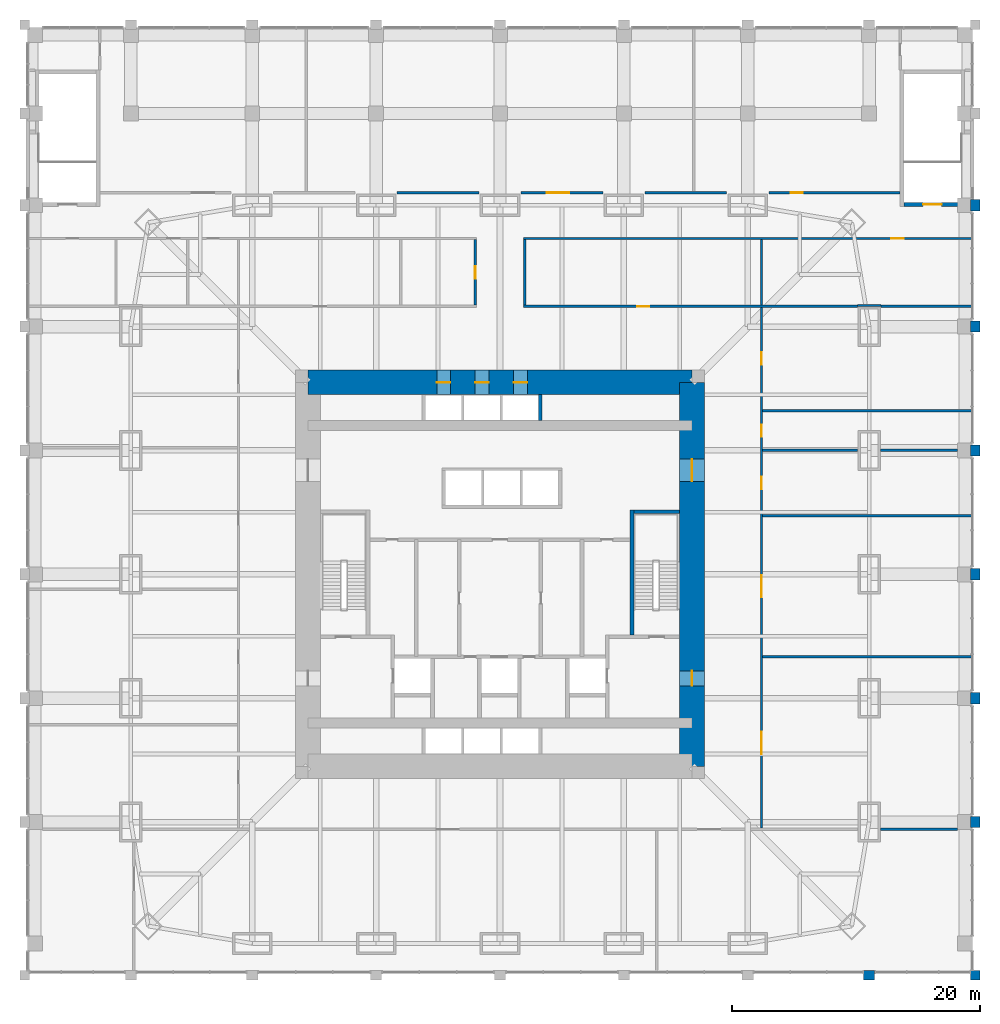
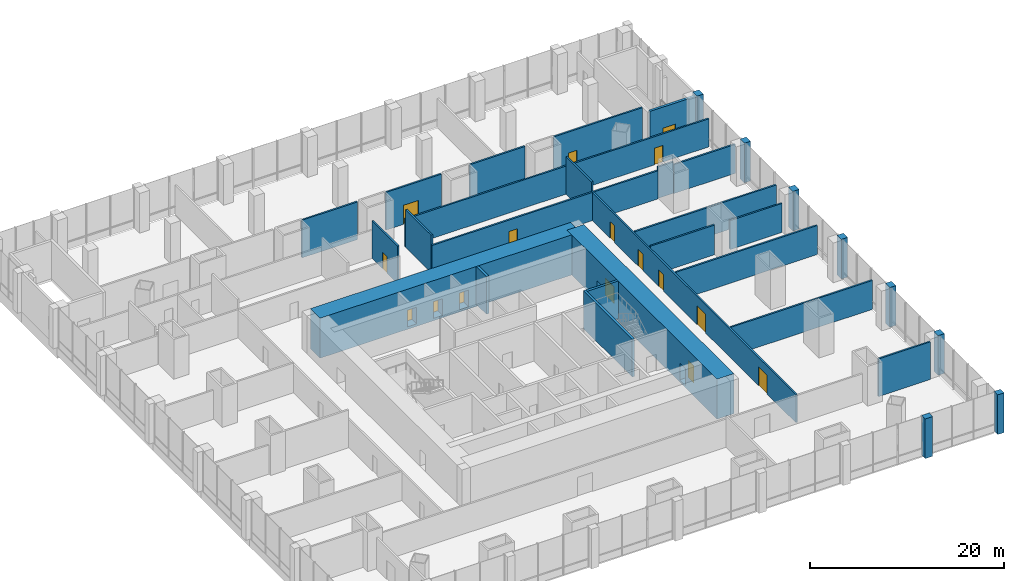
# One storey, part 19 of 22: 32 walls, 16 doors, 16 openings.
"""IFC4 building model written with IfcOpenShell, lengths in metres."""

from ifc_helpers import new_model, si_unit, direction, frame, frame_2d, origin, place, context, subcontext, project, spatial, rectangle, extrude, material, layer, layer_set, type_object, element, fill, save


model = new_model("IFC4")

# Units and contexts
model_context = context("Model", 3, precision=1e-05, world=origin(), true_north=direction((0.0, 1.0)))
body_context = subcontext(model_context, "Body", "Model", "MODEL_VIEW")
ifc_project = project(units=[si_unit("LENGTHUNIT", "METRE"), si_unit("AREAUNIT", "SQUARE_METRE"), si_unit("VOLUMEUNIT", "CUBIC_METRE"), si_unit("PLANEANGLEUNIT", "RADIAN"), si_unit("MASSUNIT", "GRAM", prefix="KILO")], contexts=[model_context])

# Site, building, storey
site_placement = place(None, origin())
site = spatial("IfcSite", under=ifc_project, at=site_placement, CompositionType="ELEMENT")
building_placement = place(site_placement, origin())
building = spatial("IfcBuilding", under=site, at=building_placement, Name="Khuree Lantern Residences", CompositionType="ELEMENT")
storey_placement = place(building_placement, frame((0.0, 0.0, 16.0)))
storey = spatial("IfcBuildingStorey", under=building, at=storey_placement, Name="L03", CompositionType="ELEMENT", Elevation=16.0)

# Wall
ifc_material_1 = material(Name="Dense concrete blockwork", Category="masonry")
ifc_layer_1 = layer(ifc_material_1, 0.300048828125)
ifc_layer_set_1 = layer_set([ifc_layer_1], Name="CORE PARTITION WALL CPW300 EI 120")
wall_type_1 = type_object("IfcWallType", Name="CORE PARTITION WALL CPW300 EI 120", PredefinedType="PARTITIONING", material=ifc_layer_set_1)
wall_1_placement = place(storey_placement, frame((3.25, 12.39990234375, 0.0), z_axis=(0.0, 0.0, 1.0), x_axis=(0.0, 1.0, 0.0)))
element("IfcWall", 1, at=wall_1_placement, inside=storey, type_object=wall_type_1, Name="L03 CORE WALL PLE", PredefinedType="PARTITIONING", context=body_context, shape_type="SweptSolid", body=[
    extrude(rectangle(XDim=2.10009765625, YDim=0.300048828125, at=frame_2d((1.050048828125, 0.0))), origin(), (0.0, 0.0, 1.0), 4.75),
])

# Wall, openings, doors
ifc_material_2 = material(Name="Concrete C70/85", Category="concrete")
ifc_layer_2 = layer(ifc_material_2, 2.0)
ifc_layer_set_2 = layer_set([ifc_layer_2], Name="CW2000-C70 CORE WALL C70 2000")
wall_type_2 = type_object("IfcWallType", Name="CW2000-C70 CORE WALL C70 2000", PredefinedType="SHEAR", material=ifc_layer_set_2)
wall_2_placement = place(storey_placement, frame((15.5, -15.5, -0.300048828125), z_axis=(0.0, 0.0, 1.0), x_axis=(0.0, 1.0, 0.0)))
wall_2 = element("IfcWall", 2, at=wall_2_placement, inside=storey, type_object=wall_type_2, Name="Core wall E", PredefinedType="SHEAR", context=body_context, shape_type="SweptSolid", body=[
    extrude(rectangle(XDim=31.0, YDim=2.0, at=frame_2d((15.5, 0.0))), origin(), (0.0, 0.0, 1.0), 5.050048828125),
])
opening_1_placement = place(wall_2_placement, frame((6.5, 0.0, 0.300048828125)))
opening_1 = element("IfcOpeningElement", 3, at=opening_1_placement, cuts=wall_2, Name="Opening 03-005", PredefinedType="OPENING", context=body_context, shape_type="SweptSolid", body=[
    extrude(rectangle(XDim=1.199951171875, YDim=2.10009765625, at=frame_2d((0.60009765625, 1.050048828125))), frame((0.0, 1.010009765625, 0.0), z_axis=(0.0, -1.0, 0.0), x_axis=(1.0, 0.0, 0.0)), (0.0, 0.0, 1.0), 2.02001953125),
])
opening_2_placement = place(wall_2_placement, frame((23.0, 0.0, 0.300048828125)))
opening_2 = element("IfcOpeningElement", 4, at=opening_2_placement, cuts=wall_2, Name="Opening 03-006", PredefinedType="OPENING", context=body_context, shape_type="SweptSolid", body=[
    extrude(rectangle(XDim=1.800048828125, YDim=2.10009765625, at=frame_2d((0.89990234375, 1.050048828125))), frame((0.0, 1.010009765625, 0.0), z_axis=(0.0, -1.0, 0.0), x_axis=(1.0, 0.0, 0.0)), (0.0, 0.0, 1.0), 2.02001953125),
])
ifc_material_3 = material(Name="Steel door leaf in steel frame", Category="steel")
door_type_1 = type_object("IfcDoorType", Name="LOBBY DOOR 1200X2100 EI 120", OperationType="SINGLE_SWING_LEFT", PredefinedType="DOOR", material=ifc_material_3)
door_1_placement = place(opening_1_placement, origin())
door_1 = element("IfcDoor", 5, at=door_1_placement, inside=storey, type_object=door_type_1, Name="Firefighting lobby door 03-005", OperationType="SINGLE_SWING_LEFT", OverallHeight=2.10009765625, OverallWidth=1.199951171875, PredefinedType="DOOR", context=body_context, shape_type="SweptSolid", body=[
    extrude(rectangle(XDim=1.199951171875, YDim=2.10009765625, at=frame_2d((0.60009765625, 1.050048828125))), frame((0.0, 0.02490234375, 0.0), z_axis=(0.0, -1.0, 0.0), x_axis=(1.0, 0.0, 0.0)), (0.0, 0.0, 1.0), 0.050048828125),
])
fill(opening_1, door_1)
door_type_2 = type_object("IfcDoorType", Name="LOBBY DOUBLE DOOR 1800X2100 EI 60", OperationType="DOUBLE_DOOR_SINGLE_SWING", PredefinedType="DOOR", material=ifc_material_3)
door_2_placement = place(opening_2_placement, origin())
door_2 = element("IfcDoor", 6, at=door_2_placement, inside=storey, type_object=door_type_2, Name="Lift lobby door 03-006", OperationType="DOUBLE_DOOR_SINGLE_SWING", OverallHeight=2.10009765625, OverallWidth=1.800048828125, PredefinedType="DOOR", context=body_context, shape_type="SweptSolid", body=[
    extrude(rectangle(XDim=1.800048828125, YDim=2.10009765625, at=frame_2d((0.89990234375, 1.050048828125))), frame((0.0, 0.02490234375, 0.0), z_axis=(0.0, -1.0, 0.0), x_axis=(1.0, 0.0, 0.0)), (0.0, 0.0, 1.0), 0.050048828125),
])
fill(opening_2, door_2)

wall_3_placement = place(storey_placement, frame((-15.5, 15.5, -0.300048828125), z_axis=(0.0, 0.0, 1.0), x_axis=(1.0, 0.0, 0.0)))
wall_3 = element("IfcWall", 7, at=wall_3_placement, inside=storey, type_object=wall_type_2, Name="Core wall N", PredefinedType="SHEAR", context=body_context, shape_type="SweptSolid", body=[
    extrude(rectangle(XDim=31.0, YDim=2.0, at=frame_2d((15.5, 0.0))), origin(), (0.0, 0.0, 1.0), 5.050048828125),
])
opening_3_placement = place(wall_3_placement, frame((10.39990234375, 0.0, 0.300048828125)))
opening_3 = element("IfcOpeningElement", 8, at=opening_3_placement, cuts=wall_3, Name="Opening 03-009", PredefinedType="OPENING", context=body_context, shape_type="SweptSolid", body=[
    extrude(rectangle(XDim=1.10009765625, YDim=2.10009765625, at=frame_2d((0.550048828125, 1.050048828125))), frame((0.0, 1.010009765625, 0.0), z_axis=(0.0, -1.0, 0.0), x_axis=(1.0, 0.0, 0.0)), (0.0, 0.0, 1.0), 2.02001953125),
])
opening_4_placement = place(wall_3_placement, frame((13.5, 0.0, 0.300048828125)))
opening_4 = element("IfcOpeningElement", 9, at=opening_4_placement, cuts=wall_3, Name="Opening 03-010", PredefinedType="OPENING", context=body_context, shape_type="SweptSolid", body=[
    extrude(rectangle(XDim=1.10009765625, YDim=2.10009765625, at=frame_2d((0.550048828125, 1.050048828125))), frame((0.0, 1.010009765625, 0.0), z_axis=(0.0, -1.0, 0.0), x_axis=(1.0, 0.0, 0.0)), (0.0, 0.0, 1.0), 2.02001953125),
])
opening_5_placement = place(wall_3_placement, frame((16.60009765625, 0.0, 0.300048828125)))
opening_5 = element("IfcOpeningElement", 10, at=opening_5_placement, cuts=wall_3, Name="Opening 03-011", PredefinedType="OPENING", context=body_context, shape_type="SweptSolid", body=[
    extrude(rectangle(XDim=1.10009765625, YDim=2.10009765625, at=frame_2d((0.550048828125, 1.050048828125))), frame((0.0, 1.010009765625, 0.0), z_axis=(0.0, -1.0, 0.0), x_axis=(1.0, 0.0, 0.0)), (0.0, 0.0, 1.0), 2.02001953125),
])
ifc_material_4 = material(Name="Stainless steel lift landing door", Category="steel")
door_type_3 = type_object("IfcDoorType", Name="LIFT LANDING DOOR 1100X2100 E 60", OperationType="DOUBLE_DOOR_SLIDING", PredefinedType="DOOR", material=ifc_material_4)
door_3_placement = place(opening_3_placement, origin())
door_3 = element("IfcDoor", 11, at=door_3_placement, inside=storey, type_object=door_type_3, Name="Landing door PL1 03-009", OperationType="DOUBLE_DOOR_SLIDING", OverallHeight=2.10009765625, OverallWidth=1.10009765625, PredefinedType="DOOR", context=body_context, shape_type="SweptSolid", body=[
    extrude(rectangle(XDim=1.10009765625, YDim=2.10009765625, at=frame_2d((0.550048828125, 1.050048828125))), frame((0.0, 0.02490234375, 0.0), z_axis=(0.0, -1.0, 0.0), x_axis=(1.0, 0.0, 0.0)), (0.0, 0.0, 1.0), 0.050048828125),
])
fill(opening_3, door_3)
door_4_placement = place(opening_4_placement, origin())
door_4 = element("IfcDoor", 12, at=door_4_placement, inside=storey, type_object=door_type_3, Name="Landing door PL2 03-010", OperationType="DOUBLE_DOOR_SLIDING", OverallHeight=2.10009765625, OverallWidth=1.10009765625, PredefinedType="DOOR", context=body_context, shape_type="SweptSolid", body=[
    extrude(rectangle(XDim=1.10009765625, YDim=2.10009765625, at=frame_2d((0.550048828125, 1.050048828125))), frame((0.0, 0.02490234375, 0.0), z_axis=(0.0, -1.0, 0.0), x_axis=(1.0, 0.0, 0.0)), (0.0, 0.0, 1.0), 0.050048828125),
])
fill(opening_4, door_4)
door_5_placement = place(opening_5_placement, origin())
door_5 = element("IfcDoor", 13, at=door_5_placement, inside=storey, type_object=door_type_3, Name="Landing door PL3 03-011", OperationType="DOUBLE_DOOR_SLIDING", OverallHeight=2.10009765625, OverallWidth=1.10009765625, PredefinedType="DOOR", context=body_context, shape_type="SweptSolid", body=[
    extrude(rectangle(XDim=1.10009765625, YDim=2.10009765625, at=frame_2d((0.550048828125, 1.050048828125))), frame((0.0, 0.02490234375, 0.0), z_axis=(0.0, -1.0, 0.0), x_axis=(1.0, 0.0, 0.0)), (0.0, 0.0, 1.0), 0.050048828125),
])
fill(opening_5, door_5)

# Wall
ifc_layer_3 = layer(ifc_material_1, 0.199951171875)
ifc_layer_set_3 = layer_set([ifc_layer_3], Name="FIRE-RATED ROOM WALL FRW200 EI 120")
wall_type_3 = type_object("IfcWallType", Name="FIRE-RATED ROOM WALL FRW200 EI 120", PredefinedType="SOLIDWALL", material=ifc_layer_set_3)
wall_4_placement = place(storey_placement, frame((30.72998046875, -20.591064453125, 0.0), z_axis=(0.0, 0.0, 1.0), x_axis=(1.0, 0.0, 0.0)))
element("IfcWall", 14, at=wall_4_placement, inside=storey, type_object=wall_type_3, Name="L03 ROOM WALL 6", PredefinedType="SOLIDWALL", context=body_context, shape_type="SweptSolid", body=[
    extrude(rectangle(XDim=6.18994140625, YDim=0.199951171875, at=frame_2d((3.094970703125, 0.0))), origin(), (0.0, 0.0, 1.0), 4.75),
])

# Wall, openings, doors
wall_5_placement = place(storey_placement, frame((21.111083984375, -20.490966796875, 0.0), z_axis=(0.0, 0.0, 1.0), x_axis=(0.0, 1.0, 0.0)))
wall_5 = element("IfcWall", 15, at=wall_5_placement, inside=storey, type_object=wall_type_3, Name="L03 ROOM WALL 8", PredefinedType="SOLIDWALL", context=body_context, shape_type="SweptSolid", body=[
    extrude(rectangle(XDim=42.02197265625, YDim=0.199951171875, at=frame_2d((21.010986328125, 0.0))), origin(), (0.0, 0.0, 1.0), 3.550048828125),
])
opening_6_placement = place(wall_5_placement, frame((5.9619140625, 0.0, 0.0)))
opening_6 = element("IfcOpeningElement", 16, at=opening_6_placement, cuts=wall_5, Name="Opening 03-029", PredefinedType="OPENING", context=body_context, shape_type="SweptSolid", body=[
    extrude(rectangle(XDim=1.800048828125, YDim=2.39990234375, at=frame_2d((0.89990234375, 1.199951171875))), frame((0.0, 0.10986328125, 0.0), z_axis=(0.0, -1.0, 0.0), x_axis=(1.0, 0.0, 0.0)), (0.0, 0.0, 1.0), 0.219970703125),
])
opening_7_placement = place(wall_5_placement, frame((18.62890625, 0.0, 0.0)))
opening_7 = element("IfcOpeningElement", 17, at=opening_7_placement, cuts=wall_5, Name="Opening 03-030", PredefinedType="OPENING", context=body_context, shape_type="SweptSolid", body=[
    extrude(rectangle(XDim=1.800048828125, YDim=2.39990234375, at=frame_2d((0.89990234375, 1.199951171875))), frame((0.0, 0.10986328125, 0.0), z_axis=(0.0, -1.0, 0.0), x_axis=(1.0, 0.0, 0.0)), (0.0, 0.0, 1.0), 0.219970703125),
])
opening_8_placement = place(wall_5_placement, frame((27.362548828125, 0.0, 0.0)))
opening_8 = element("IfcOpeningElement", 18, at=opening_8_placement, cuts=wall_5, Name="Opening 03-031", PredefinedType="OPENING", context=body_context, shape_type="SweptSolid", body=[
    extrude(rectangle(XDim=1.0, YDim=2.10009765625, at=frame_2d((0.5, 1.050048828125))), frame((0.0, 0.10986328125, 0.0), z_axis=(0.0, -1.0, 0.0), x_axis=(1.0, 0.0, 0.0)), (0.0, 0.0, 1.0), 0.219970703125),
])
opening_9_placement = place(wall_5_placement, frame((37.39990234375, 0.0, 0.0)))
opening_9 = element("IfcOpeningElement", 19, at=opening_9_placement, cuts=wall_5, Name="Opening 03-032", PredefinedType="OPENING", context=body_context, shape_type="SweptSolid", body=[
    extrude(rectangle(XDim=1.0, YDim=2.10009765625, at=frame_2d((0.5, 1.050048828125))), frame((0.0, 0.10986328125, 0.0), z_axis=(0.0, -1.0, 0.0), x_axis=(1.0, 0.0, 0.0)), (0.0, 0.0, 1.0), 0.219970703125),
])
opening_10_placement = place(wall_5_placement, frame((31.58447265625, 0.0, 0.0)))
opening_10 = element("IfcOpeningElement", 20, at=opening_10_placement, cuts=wall_5, Name="Opening 03-045", PredefinedType="OPENING", context=body_context, shape_type="SweptSolid", body=[
    extrude(rectangle(XDim=1.0, YDim=2.10009765625, at=frame_2d((0.5, 1.050048828125))), frame((0.0, 0.10986328125, 0.0), z_axis=(0.0, -1.0, 0.0), x_axis=(1.0, 0.0, 0.0)), (0.0, 0.0, 1.0), 0.219970703125),
])
ifc_material_5 = material(Name="Timber door leaf in hardwood frame", Category="wood")
door_type_4 = type_object("IfcDoorType", Name="DOOR 1000X2100", OperationType="SINGLE_SWING_LEFT", PredefinedType="DOOR", material=ifc_material_5)
door_6_placement = place(opening_8_placement, origin())
door_6 = element("IfcDoor", 21, at=door_6_placement, inside=storey, type_object=door_type_4, Name="Physiotherapy room door 03-031", OperationType="SINGLE_SWING_LEFT", OverallHeight=2.10009765625, OverallWidth=1.0, PredefinedType="DOOR", context=body_context, shape_type="SweptSolid", body=[
    extrude(rectangle(XDim=1.0, YDim=2.10009765625, at=frame_2d((0.5, 1.050048828125))), frame((0.0, 0.02490234375, 0.0), z_axis=(0.0, -1.0, 0.0), x_axis=(1.0, 0.0, 0.0)), (0.0, 0.0, 1.0), 0.050048828125),
])
fill(opening_8, door_6)
door_7_placement = place(opening_10_placement, origin())
door_7 = element("IfcDoor", 22, at=door_7_placement, inside=storey, type_object=door_type_4, Name="Physiotherapy treatment room door 03-045", OperationType="SINGLE_SWING_LEFT", OverallHeight=2.10009765625, OverallWidth=1.0, PredefinedType="DOOR", context=body_context, shape_type="SweptSolid", body=[
    extrude(rectangle(XDim=1.0, YDim=2.10009765625, at=frame_2d((0.5, 1.050048828125))), frame((0.0, 0.02490234375, 0.0), z_axis=(0.0, -1.0, 0.0), x_axis=(1.0, 0.0, 0.0)), (0.0, 0.0, 1.0), 0.050048828125),
])
fill(opening_10, door_7)
door_type_5 = type_object("IfcDoorType", Name="DOOR 1000X2100 RIGHT HAND", OperationType="SINGLE_SWING_RIGHT", PredefinedType="DOOR", material=ifc_material_5)
door_8_placement = place(opening_9_placement, origin())
door_8 = element("IfcDoor", 23, at=door_8_placement, inside=storey, type_object=door_type_5, Name="Pilates studio door 03-032", OperationType="SINGLE_SWING_RIGHT", OverallHeight=2.10009765625, OverallWidth=1.0, PredefinedType="DOOR", context=body_context, shape_type="SweptSolid", body=[
    extrude(rectangle(XDim=1.0, YDim=2.10009765625, at=frame_2d((0.5, 1.050048828125))), frame((0.0, 0.02490234375, 0.0), z_axis=(0.0, -1.0, 0.0), x_axis=(1.0, 0.0, 0.0)), (0.0, 0.0, 1.0), 0.050048828125),
])
fill(opening_9, door_8)
door_type_6 = type_object("IfcDoorType", Name="DOUBLE DOOR 1800X2400", OperationType="DOUBLE_DOOR_SINGLE_SWING", PredefinedType="DOOR", material=ifc_material_5)
door_9_placement = place(opening_7_placement, origin())
door_9 = element("IfcDoor", 24, at=door_9_placement, inside=storey, type_object=door_type_6, Name="Yoga studio door 03-030", OperationType="DOUBLE_DOOR_SINGLE_SWING", OverallHeight=2.39990234375, OverallWidth=1.800048828125, PredefinedType="DOOR", context=body_context, shape_type="SweptSolid", body=[
    extrude(rectangle(XDim=1.800048828125, YDim=2.39990234375, at=frame_2d((0.89990234375, 1.199951171875))), frame((0.0, 0.02490234375, 0.0), z_axis=(0.0, -1.0, 0.0), x_axis=(1.0, 0.0, 0.0)), (0.0, 0.0, 1.0), 0.050048828125),
])
fill(opening_7, door_9)
door_type_7 = type_object("IfcDoorType", Name="PLANT ROOM DOOR 1800X2400 EI 60", OperationType="DOUBLE_DOOR_SINGLE_SWING", PredefinedType="DOOR", material=ifc_material_3)
door_10_placement = place(opening_6_placement, origin())
door_10 = element("IfcDoor", 25, at=door_10_placement, inside=storey, type_object=door_type_7, Name="Pool plant room door 03-029", OperationType="DOUBLE_DOOR_SINGLE_SWING", OverallHeight=2.39990234375, OverallWidth=1.800048828125, PredefinedType="DOOR", context=body_context, shape_type="SweptSolid", body=[
    extrude(rectangle(XDim=1.800048828125, YDim=2.39990234375, at=frame_2d((0.89990234375, 1.199951171875))), frame((0.0, 0.02490234375, 0.0), z_axis=(0.0, -1.0, 0.0), x_axis=(1.0, 0.0, 0.0)), (0.0, 0.0, 1.0), 0.050048828125),
])
fill(opening_6, door_10)

# Walls
wall_6_placement = place(storey_placement, frame((21.2109375, -6.6669921875, 0.0), z_axis=(0.0, 0.0, 1.0), x_axis=(1.0, 0.0, 0.0)))
element("IfcWall", 26, at=wall_6_placement, inside=storey, type_object=wall_type_3, Name="L03 ROOM WALL 10", PredefinedType="SOLIDWALL", context=body_context, shape_type="SweptSolid", body=[
    extrude(rectangle(XDim=16.864013671875, YDim=0.199951171875, at=frame_2d((8.43212890625, 0.0))), origin(), (0.0, 0.0, 1.0), 3.64990234375),
])
wall_7_placement = place(storey_placement, frame((21.111083984375, 21.73095703125, 0.0), z_axis=(0.0, 0.0, 1.0), x_axis=(0.0, 1.0, 0.0)))
element("IfcWall", 27, at=wall_7_placement, inside=storey, type_object=wall_type_3, Name="L03 ROOM WALL 31", PredefinedType="SOLIDWALL", context=body_context, shape_type="SweptSolid", body=[
    extrude(rectangle(XDim=5.280029296875, YDim=0.199951171875, at=frame_2d((2.64013671875, 0.0))), origin(), (0.0, 0.0, 1.0), 4.75),
])
ifc_material_6 = material(Name="Flamed granite cladding on blockwork", Category="masonry")
ifc_layer_4 = layer(ifc_material_6, 0.75)
ifc_layer_set_4 = layer_set([ifc_layer_4], Name="PODIUM PIER PR1 900X750")
wall_type_4 = type_object("IfcWallType", Name="PODIUM PIER PR1 900X750", PredefinedType="SOLIDWALL", material=ifc_layer_set_4)
wall_8_placement = place(storey_placement, frame((29.35009765625, -32.375, 0.0), z_axis=(0.0, 0.0, 1.0), x_axis=(1.0, 0.0, 0.0)))
element("IfcWall", 28, at=wall_8_placement, inside=storey, type_object=wall_type_4, Name="L03 SOUTH FACE PIER 7", PredefinedType="SOLIDWALL", context=body_context, shape_type="SweptSolid", body=[
    extrude(rectangle(XDim=0.89990234375, YDim=0.75, at=frame_2d((0.449951171875, 0.0))), origin(), (0.0, 0.0, 1.0), 5.0),
])
wall_9_placement = place(storey_placement, frame((38.0, -32.375, 0.0), z_axis=(0.0, 0.0, 1.0), x_axis=(1.0, 0.0, 0.0)))
element("IfcWall", 29, at=wall_9_placement, inside=storey, type_object=wall_type_4, Name="L03 SOUTH FACE PIER 8", PredefinedType="SOLIDWALL", context=body_context, shape_type="SweptSolid", body=[
    extrude(rectangle(XDim=0.75, YDim=0.75, at=frame_2d((0.375, 0.0))), origin(), (0.0, 0.0, 1.0), 5.0),
])
for number, where, z_axis, x_axis, name in (
    (30, (38.375, -20.449951171875, 0.0), (0.0, 0.0, 1.0), (0.0, 1.0, 0.0), "L03 EAST FACE PIER 1"),
    (31, (38.375, -10.449951171875, 0.0), (0.0, 0.0, 1.0), (0.0, 1.0, 0.0), "L03 EAST FACE PIER 2"),
    (32, (38.375, -0.449951171875, 0.0), (0.0, 0.0, 1.0), (0.0, 1.0, 0.0), "L03 EAST FACE PIER 3"),
    (33, (38.375, 9.550048828125, 0.0), (0.0, 0.0, 1.0), (0.0, 1.0, 0.0), "L03 EAST FACE PIER 4"),
    (34, (38.375, 19.550048828125, 0.0), (0.0, 0.0, 1.0), (0.0, 1.0, 0.0), "L03 EAST FACE PIER 5"),
    (35, (38.375, 29.35009765625, 0.0), (0.0, 0.0, 1.0), (0.0, 1.0, 0.0), "L03 EAST FACE PIER 6"),
):
    element("IfcWall", number, at=place(storey_placement, frame(where, z_axis=z_axis, x_axis=x_axis)), inside=storey, type_object=wall_type_4, Name=name, PredefinedType="SOLIDWALL", context=body_context, shape_type="SweptSolid", body=[
        extrude(rectangle(XDim=0.89990234375, YDim=0.75, at=frame_2d((0.449951171875, 0.0))), origin(), (0.0, 0.0, 1.0), 5.0),
    ])
ifc_layer_5 = layer(ifc_material_1, 0.199951171875)
ifc_layer_set_5 = layer_set([ifc_layer_5], Name="ROOM WALL RMW200")
wall_type_5 = type_object("IfcWallType", Name="ROOM WALL RMW200", PredefinedType="SOLIDWALL", material=ifc_layer_set_5)
wall_10_placement = place(storey_placement, frame((21.2109375, 4.742919921875, 0.0), z_axis=(0.0, 0.0, 1.0), x_axis=(1.0, 0.0, 0.0)))
element("IfcWall", 36, at=wall_10_placement, inside=storey, type_object=wall_type_5, Name="L03 ROOM WALL 13", PredefinedType="SOLIDWALL", context=body_context, shape_type="SweptSolid", body=[
    extrude(rectangle(XDim=16.864013671875, YDim=0.199951171875, at=frame_2d((8.43212890625, 0.0))), origin(), (0.0, 0.0, 1.0), 3.64990234375),
])
wall_11_placement = place(storey_placement, frame((21.2109375, 10.0, 0.0), z_axis=(0.0, 0.0, 1.0), x_axis=(1.0, 0.0, 0.0)))
element("IfcWall", 37, at=wall_11_placement, inside=storey, type_object=wall_type_5, Name="L03 ROOM WALL 14", PredefinedType="SOLIDWALL", context=body_context, shape_type="SweptSolid", body=[
    extrude(rectangle(XDim=7.658935546875, YDim=0.199951171875, at=frame_2d((3.82958984375, 0.0))), origin(), (0.0, 0.0, 1.0), 3.741943359375),
])
wall_12_placement = place(storey_placement, frame((30.72998046875, 10.0, 0.0), z_axis=(0.0, 0.0, 1.0), x_axis=(1.0, 0.0, 0.0)))
element("IfcWall", 38, at=wall_12_placement, inside=storey, type_object=wall_type_5, Name="L03 ROOM WALL 15", PredefinedType="SOLIDWALL", context=body_context, shape_type="SweptSolid", body=[
    extrude(rectangle(XDim=6.18994140625, YDim=0.199951171875, at=frame_2d((3.094970703125, 0.0))), origin(), (0.0, 0.0, 1.0), 3.64990234375),
])
wall_13_placement = place(storey_placement, frame((21.2109375, 13.18701171875, 0.0), z_axis=(0.0, 0.0, 1.0), x_axis=(1.0, 0.0, 0.0)))
element("IfcWall", 39, at=wall_13_placement, inside=storey, type_object=wall_type_5, Name="L03 ROOM WALL 18", PredefinedType="SOLIDWALL", context=body_context, shape_type="SweptSolid", body=[
    extrude(rectangle(XDim=16.864013671875, YDim=0.199951171875, at=frame_2d((8.43212890625, 0.0))), origin(), (0.0, 0.0, 1.0), 3.64990234375),
])

# Wall, opening, door
wall_14_placement = place(storey_placement, frame((1.89990234375, 21.631103515625, 0.0), z_axis=(0.0, 0.0, 1.0), x_axis=(1.0, 0.0, 0.0)))
wall_14 = element("IfcWall", 40, at=wall_14_placement, inside=storey, type_object=wall_type_5, Name="L03 ROOM WALL 21", PredefinedType="SOLIDWALL", context=body_context, shape_type="SweptSolid", body=[
    extrude(rectangle(XDim=26.9501953125, YDim=0.199951171875, at=frame_2d((13.47509765625, 0.0))), origin(), (0.0, 0.0, 1.0), 3.550048828125),
])
opening_11_placement = place(wall_14_placement, frame((9.16552734375, 0.0, 0.0)))
opening_11 = element("IfcOpeningElement", 41, at=opening_11_placement, cuts=wall_14, Name="Opening 03-039", PredefinedType="OPENING", context=body_context, shape_type="SweptSolid", body=[
    extrude(rectangle(XDim=1.0, YDim=2.10009765625, at=frame_2d((0.5, 1.050048828125))), frame((0.0, 0.10986328125, 0.0), z_axis=(0.0, -1.0, 0.0), x_axis=(1.0, 0.0, 0.0)), (0.0, 0.0, 1.0), 0.219970703125),
])
door_11_placement = place(opening_11_placement, origin())
door_11 = element("IfcDoor", 42, at=door_11_placement, inside=storey, type_object=door_type_4, Name="Towel and linen room door 03-039", OperationType="SINGLE_SWING_LEFT", OverallHeight=2.10009765625, OverallWidth=1.0, PredefinedType="DOOR", context=body_context, shape_type="SweptSolid", body=[
    extrude(rectangle(XDim=1.0, YDim=2.10009765625, at=frame_2d((0.5, 1.050048828125))), frame((0.0, 0.02490234375, 0.0), z_axis=(0.0, -1.0, 0.0), x_axis=(1.0, 0.0, 0.0)), (0.0, 0.0, 1.0), 0.050048828125),
])
fill(opening_11, door_11)

# Walls
wall_15_placement = place(storey_placement, frame((30.75, 21.631103515625, 0.0), z_axis=(0.0, 0.0, 1.0), x_axis=(1.0, 0.0, 0.0)))
element("IfcWall", 43, at=wall_15_placement, inside=storey, type_object=wall_type_5, Name="L03 ROOM WALL 22", PredefinedType="SOLIDWALL", context=body_context, shape_type="SweptSolid", body=[
    extrude(rectangle(XDim=7.324951171875, YDim=0.199951171875, at=frame_2d((3.66259765625, 0.0))), origin(), (0.0, 0.0, 1.0), 3.64990234375),
])
wall_16_placement = place(storey_placement, frame((28.85009765625, 21.701904296875, 0.0), z_axis=(0.0, 0.0, 1.0), x_axis=(1.0, 0.0, 0.0)))
element("IfcWall", 44, at=wall_16_placement, inside=storey, type_object=wall_type_5, Name="L03 ROOM WALL 24", PredefinedType="SOLIDWALL", context=body_context, shape_type="SweptSolid", body=[
    extrude(rectangle(XDim=1.89990234375, YDim=0.199951171875, at=frame_2d((0.949951171875, 0.0))), origin(), (0.0, 0.0, 1.0), 3.9599609375),
])

# Wall, opening, door
wall_17_placement = place(storey_placement, frame((-2.0, 21.73095703125, 0.0), z_axis=(0.0, 0.0, 1.0), x_axis=(0.0, 1.0, 0.0)))
wall_17 = element("IfcWall", 45, at=wall_17_placement, inside=storey, type_object=wall_type_5, Name="L03 ROOM WALL 29", PredefinedType="SOLIDWALL", context=body_context, shape_type="SweptSolid", body=[
    extrude(rectangle(XDim=5.280029296875, YDim=0.199951171875, at=frame_2d((2.64013671875, 0.0))), origin(), (0.0, 0.0, 1.0), 4.75),
])
opening_12_placement = place(wall_17_placement, frame((2.14990234375, 0.0, 0.0)))
opening_12 = element("IfcOpeningElement", 46, at=opening_12_placement, cuts=wall_17, Name="Opening 03-038", PredefinedType="OPENING", context=body_context, shape_type="SweptSolid", body=[
    extrude(rectangle(XDim=1.0, YDim=2.10009765625, at=frame_2d((0.5, 1.050048828125))), frame((0.0, 0.10986328125, 0.0), z_axis=(0.0, -1.0, 0.0), x_axis=(1.0, 0.0, 0.0)), (0.0, 0.0, 1.0), 0.219970703125),
])
door_12_placement = place(opening_12_placement, origin())
door_12 = element("IfcDoor", 47, at=door_12_placement, inside=storey, type_object=door_type_4, Name="Lifeguard office door 03-038", OperationType="SINGLE_SWING_LEFT", OverallHeight=2.10009765625, OverallWidth=1.0, PredefinedType="DOOR", context=body_context, shape_type="SweptSolid", body=[
    extrude(rectangle(XDim=1.0, YDim=2.10009765625, at=frame_2d((0.5, 1.050048828125))), frame((0.0, 0.02490234375, 0.0), z_axis=(0.0, -1.0, 0.0), x_axis=(1.0, 0.0, 0.0)), (0.0, 0.0, 1.0), 0.050048828125),
])
fill(opening_12, door_12)

# Wall
wall_18_placement = place(storey_placement, frame((2.0, 21.73095703125, 0.0), z_axis=(0.0, 0.0, 1.0), x_axis=(0.0, 1.0, 0.0)))
element("IfcWall", 48, at=wall_18_placement, inside=storey, type_object=wall_type_5, Name="L03 ROOM WALL 30", PredefinedType="SOLIDWALL", context=body_context, shape_type="SweptSolid", body=[
    extrude(rectangle(XDim=5.280029296875, YDim=0.199951171875, at=frame_2d((2.64013671875, 0.0))), origin(), (0.0, 0.0, 1.0), 4.75),
])

# Wall, opening, door
wall_19_placement = place(storey_placement, frame((1.89990234375, 27.111083984375, 0.0), z_axis=(0.0, 0.0, 1.0), x_axis=(1.0, 0.0, 0.0)))
wall_19 = element("IfcWall", 49, at=wall_19_placement, inside=storey, type_object=wall_type_5, Name="L03 ROOM WALL 33", PredefinedType="SOLIDWALL", context=body_context, shape_type="SweptSolid", body=[
    extrude(rectangle(XDim=36.175048828125, YDim=0.199951171875, at=frame_2d((18.08740234375, 0.0))), origin(), (0.0, 0.0, 1.0), 3.550048828125),
])
opening_13_placement = place(wall_19_placement, frame((29.69482421875, 0.0, 0.0)))
opening_13 = element("IfcOpeningElement", 50, at=opening_13_placement, cuts=wall_19, Name="Opening 03-036", PredefinedType="OPENING", context=body_context, shape_type="SweptSolid", body=[
    extrude(rectangle(XDim=1.0, YDim=2.10009765625, at=frame_2d((0.5, 1.050048828125))), frame((0.0, 0.10986328125, 0.0), z_axis=(0.0, -1.0, 0.0), x_axis=(1.0, 0.0, 0.0)), (0.0, 0.0, 1.0), 0.219970703125),
])
door_13_placement = place(opening_13_placement, origin())
door_13 = element("IfcDoor", 51, at=door_13_placement, inside=storey, type_object=door_type_4, Name="Massage room door 03-036", OperationType="SINGLE_SWING_LEFT", OverallHeight=2.10009765625, OverallWidth=1.0, PredefinedType="DOOR", context=body_context, shape_type="SweptSolid", body=[
    extrude(rectangle(XDim=1.0, YDim=2.10009765625, at=frame_2d((0.5, 1.050048828125))), frame((0.0, 0.02490234375, 0.0), z_axis=(0.0, -1.0, 0.0), x_axis=(1.0, 0.0, 0.0)), (0.0, 0.0, 1.0), 0.050048828125),
])
fill(opening_13, door_13)

# Wall
wall_20_placement = place(storey_placement, frame((-8.2998046875, 30.800048828125, 0.0), z_axis=(0.0, 0.0, 1.0), x_axis=(1.0, 0.0, 0.0)))
element("IfcWall", 52, at=wall_20_placement, inside=storey, type_object=wall_type_5, Name="L03 ROOM WALL 36", PredefinedType="SOLIDWALL", context=body_context, shape_type="SweptSolid", body=[
    extrude(rectangle(XDim=6.599609375, YDim=0.199951171875, at=frame_2d((3.2998046875, 0.0))), origin(), (0.0, 0.0, 1.0), 4.75),
])

# Wall, opening, door
wall_21_placement = place(storey_placement, frame((1.7001953125, 30.800048828125, 0.0), z_axis=(0.0, 0.0, 1.0), x_axis=(1.0, 0.0, 0.0)))
wall_21 = element("IfcWall", 53, at=wall_21_placement, inside=storey, type_object=wall_type_5, Name="L03 ROOM WALL 37", PredefinedType="SOLIDWALL", context=body_context, shape_type="SweptSolid", body=[
    extrude(rectangle(XDim=6.599609375, YDim=0.199951171875, at=frame_2d((3.2998046875, 0.0))), origin(), (0.0, 0.0, 1.0), 4.75),
])
opening_14_placement = place(wall_21_placement, frame((2.082275390625, 0.0, 0.0)))
opening_14 = element("IfcOpeningElement", 54, at=opening_14_placement, cuts=wall_21, Name="Opening 03-042", PredefinedType="OPENING", context=body_context, shape_type="SweptSolid", body=[
    extrude(rectangle(XDim=1.800048828125, YDim=2.39990234375, at=frame_2d((0.89990234375, 1.199951171875))), frame((0.0, 0.10986328125, 0.0), z_axis=(0.0, -1.0, 0.0), x_axis=(1.0, 0.0, 0.0)), (0.0, 0.0, 1.0), 0.219970703125),
])
door_14_placement = place(opening_14_placement, origin())
door_14 = element("IfcDoor", 55, at=door_14_placement, inside=storey, type_object=door_type_6, Name="Spin studio door 03-042", OperationType="DOUBLE_DOOR_SINGLE_SWING", OverallHeight=2.39990234375, OverallWidth=1.800048828125, PredefinedType="DOOR", context=body_context, shape_type="SweptSolid", body=[
    extrude(rectangle(XDim=1.800048828125, YDim=2.39990234375, at=frame_2d((0.89990234375, 1.199951171875))), frame((0.0, 0.02490234375, 0.0), z_axis=(0.0, -1.0, 0.0), x_axis=(1.0, 0.0, 0.0)), (0.0, 0.0, 1.0), 0.050048828125),
])
fill(opening_14, door_14)

# Wall
wall_22_placement = place(storey_placement, frame((11.7001953125, 30.800048828125, 0.0), z_axis=(0.0, 0.0, 1.0), x_axis=(1.0, 0.0, 0.0)))
element("IfcWall", 56, at=wall_22_placement, inside=storey, type_object=wall_type_5, Name="L03 ROOM WALL 38", PredefinedType="SOLIDWALL", context=body_context, shape_type="SweptSolid", body=[
    extrude(rectangle(XDim=6.599609375, YDim=0.199951171875, at=frame_2d((3.2998046875, 0.0))), origin(), (0.0, 0.0, 1.0), 4.75),
])

# Wall, opening, door
wall_23_placement = place(storey_placement, frame((21.7001953125, 30.800048828125, 0.0), z_axis=(0.0, 0.0, 1.0), x_axis=(1.0, 0.0, 0.0)))
wall_23 = element("IfcWall", 57, at=wall_23_placement, inside=storey, type_object=wall_type_5, Name="L03 ROOM WALL 39", PredefinedType="SOLIDWALL", context=body_context, shape_type="SweptSolid", body=[
    extrude(rectangle(XDim=10.579833984375, YDim=0.199951171875, at=frame_2d((5.2900390625, 0.0))), origin(), (0.0, 0.0, 1.0), 4.75),
])
opening_15_placement = place(wall_23_placement, frame((1.75537109375, 0.0, 0.0)))
opening_15 = element("IfcOpeningElement", 58, at=opening_15_placement, cuts=wall_23, Name="Opening 03-043", PredefinedType="OPENING", context=body_context, shape_type="SweptSolid", body=[
    extrude(rectangle(XDim=1.0, YDim=2.10009765625, at=frame_2d((0.5, 1.050048828125))), frame((0.0, 0.10986328125, 0.0), z_axis=(0.0, -1.0, 0.0), x_axis=(1.0, 0.0, 0.0)), (0.0, 0.0, 1.0), 0.219970703125),
])
door_15_placement = place(opening_15_placement, origin())
door_15 = element("IfcDoor", 59, at=door_15_placement, inside=storey, type_object=door_type_4, Name="Golf simulator room door 03-043", OperationType="SINGLE_SWING_LEFT", OverallHeight=2.10009765625, OverallWidth=1.0, PredefinedType="DOOR", context=body_context, shape_type="SweptSolid", body=[
    extrude(rectangle(XDim=1.0, YDim=2.10009765625, at=frame_2d((0.5, 1.050048828125))), frame((0.0, 0.02490234375, 0.0), z_axis=(0.0, -1.0, 0.0), x_axis=(1.0, 0.0, 0.0)), (0.0, 0.0, 1.0), 0.050048828125),
])
fill(opening_15, door_15)

# Walls
ifc_material_7 = material(Name="Concrete C50/60", Category="concrete")
ifc_layer_6 = layer(ifc_material_7, 0.300048828125)
ifc_layer_set_6 = layer_set([ifc_layer_6], Name="STAIR WALL SRW300 C50/60 REI 240")
wall_type_6 = type_object("IfcWallType", Name="STAIR WALL SRW300 C50/60 REI 240", PredefinedType="SOLIDWALL", material=ifc_layer_set_6)
wall_24_placement = place(storey_placement, frame((10.64990234375, -4.89990234375, 0.0), z_axis=(0.0, 0.0, 1.0), x_axis=(0.0, 1.0, 0.0)))
element("IfcWall", 60, at=wall_24_placement, inside=storey, type_object=wall_type_6, Name="L03 STAIR WALL ST2E", PredefinedType="SOLIDWALL", context=body_context, shape_type="SweptSolid", body=[
    extrude(rectangle(XDim=10.099853515625, YDim=0.300048828125, at=frame_2d((5.0498046875, 0.0))), origin(), (0.0, 0.0, 1.0), 4.75),
])
wall_25_placement = place(storey_placement, frame((14.5, 5.050048828125, 0.0), z_axis=(0.0, 0.0, 1.0), x_axis=(-1.0, 0.0, 0.0)))
element("IfcWall", 61, at=wall_25_placement, inside=storey, type_object=wall_type_6, Name="L03 STAIR WALL ST2N", PredefinedType="SOLIDWALL", context=body_context, shape_type="SweptSolid", body=[
    extrude(rectangle(XDim=3.699951171875, YDim=0.300048828125, at=frame_2d((1.85009765625, 0.0))), origin(), (0.0, 0.0, 1.0), 4.75),
])

# Wall, opening, door
wall_26_placement = place(storey_placement, frame((38.0, 29.85009765625, 0.0), z_axis=(0.0, 0.0, 1.0), x_axis=(-1.0, 0.0, 0.0)))
wall_26 = element("IfcWall", 62, at=wall_26_placement, inside=storey, type_object=wall_type_6, Name="L03 STAIR ST4 WALL S", PredefinedType="SOLIDWALL", context=body_context, shape_type="SweptSolid", body=[
    extrude(rectangle(XDim=5.39990234375, YDim=0.300048828125, at=frame_2d((2.699951171875, 0.0))), origin(), (0.0, 0.0, 1.0), 4.75),
])
opening_16_placement = place(wall_26_placement, frame((2.35009765625, 0.0, 0.0)))
opening_16 = element("IfcOpeningElement", 63, at=opening_16_placement, cuts=wall_26, Name="Opening 03-021", PredefinedType="OPENING", context=body_context, shape_type="SweptSolid", body=[
    extrude(rectangle(XDim=1.5, YDim=2.10009765625, at=frame_2d((0.75, 1.050048828125))), frame((0.0, 0.16015625, 0.0), z_axis=(0.0, -1.0, 0.0), x_axis=(1.0, 0.0, 0.0)), (0.0, 0.0, 1.0), 0.320068359375),
])
door_type_8 = type_object("IfcDoorType", Name="STAIR DOOR 1500X2100 EI 120", OperationType="DOUBLE_DOOR_SINGLE_SWING", PredefinedType="DOOR", material=ifc_material_3)
door_16_placement = place(opening_16_placement, origin())
door_16 = element("IfcDoor", 64, at=door_16_placement, inside=storey, type_object=door_type_8, Name="Stair ST4 door 03-021", OperationType="DOUBLE_DOOR_SINGLE_SWING", OverallHeight=2.10009765625, OverallWidth=1.5, PredefinedType="DOOR", context=body_context, shape_type="SweptSolid", body=[
    extrude(rectangle(XDim=1.5, YDim=2.10009765625, at=frame_2d((0.75, 1.050048828125))), frame((0.0, 0.02490234375, 0.0), z_axis=(0.0, -1.0, 0.0), x_axis=(1.0, 0.0, 0.0)), (0.0, 0.0, 1.0), 0.050048828125),
])
fill(opening_16, door_16)

save(model, "model.ifc")
